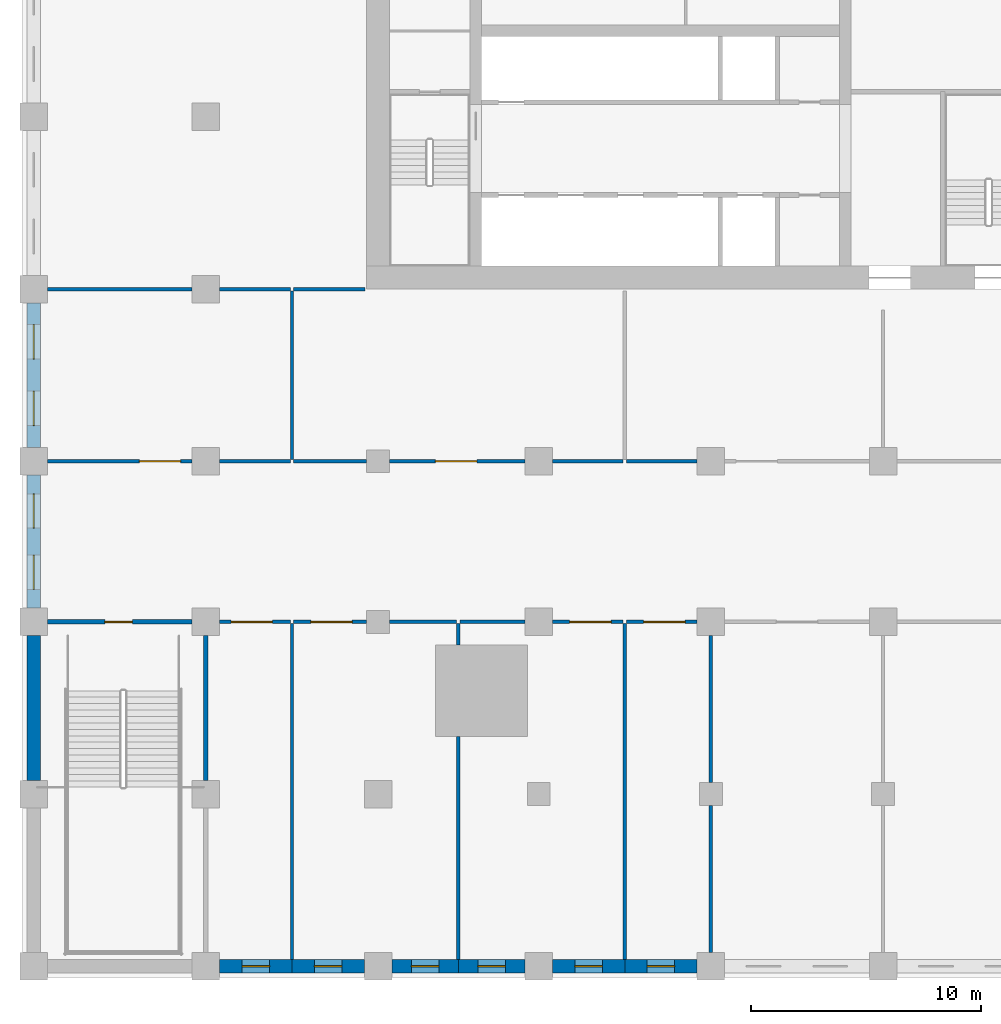
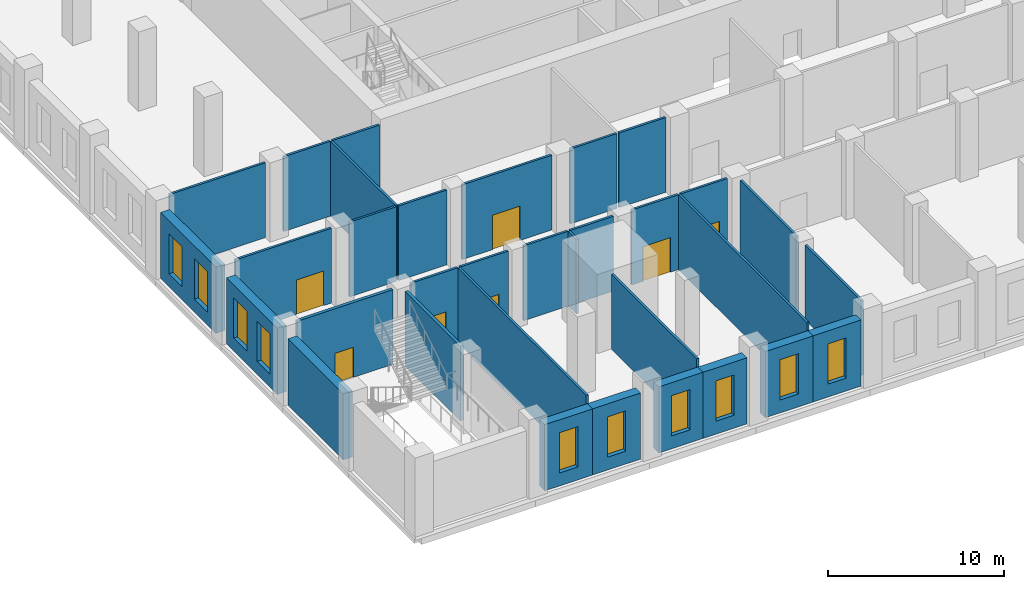
# One storey, part 3 of 25: 33 walls, 10 windows, 7 doors, 17 openings.
"""IFC4 building model written with IfcOpenShell, lengths in metres."""

import ifcopenshell
import ifcopenshell.guid

model = None  # the IFC model being written
_history = None  # IfcOwnerHistory: only IFC2X3 demands one
_inside = {}  # id of a spatial element -> (the spatial element, [elements in it])
_under = {}  # id of a project, library or spatial element -> (it, [spatial elements below it])
_declared = {}  # id of a project -> (the project, [libraries it declares])
_typed = {}  # id of a type object -> (the type object, [elements of that type])
_made_of = {}  # id of a material, layer set ... -> (it, [elements and type objects made of it])


def new_model(schema):
    """Start an empty IFC model of exactly this schema.

    Asked for "IFC4X3", IfcOpenShell would pick the latest addendum, in which some entities
    have other attributes; the version numbers below select the first issue.
    IFC2X3 requires an IfcOwnerHistory on every rooted entity: one is made here for all.
    """
    global model, _history
    if schema == "IFC4X3":
        model = ifcopenshell.file(schema_version=(4, 3, 0, 0))
    else:
        model = ifcopenshell.file(schema=schema)
    _inside.clear()
    _under.clear()
    _declared.clear()
    _typed.clear()
    _made_of.clear()
    _history = None
    if model.schema == "IFC2X3":
        org = make("IfcOrganization", Name="unknown")
        user = make(
            "IfcPersonAndOrganization",
            ThePerson=make("IfcPerson", FamilyName="unknown"),
            TheOrganization=org,
        )
        app = make(
            "IfcApplication",
            ApplicationDeveloper=org,
            Version="unknown",
            ApplicationFullName="unknown",
            ApplicationIdentifier="unknown",
        )
        _history = make(
            "IfcOwnerHistory",
            OwningUser=user,
            OwningApplication=app,
            ChangeAction="ADDED",
            CreationDate=0,
        )
    return model


def make(cls, **values):
    """One entity of the class cls with the attributes given. An attribute that is None is left unset."""
    return model.create_entity(
        cls, **{name: value for name, value in values.items() if value is not None}
    )


def rooted(cls, **values):
    """An entity with a GlobalId (a new one), such as an element, a storey or a relation."""
    return make(cls, GlobalId=ifcopenshell.guid.new(), OwnerHistory=_history, **values)


def si_unit(unit_type, name, prefix=None):
    """IfcSIUnit, for example si_unit("LENGTHUNIT", "METRE", prefix="MILLI")."""
    return make("IfcSIUnit", UnitType=unit_type, Prefix=prefix, Name=name)


def assignment(units):
    """IfcUnitAssignment: the units of a project."""
    return None if units is None else make("IfcUnitAssignment", Units=units)


def point(xyz):
    """IfcCartesianPoint."""
    return None if xyz is None else make("IfcCartesianPoint", Coordinates=xyz)


def direction(xyz):
    """IfcDirection."""
    return None if xyz is None else make("IfcDirection", DirectionRatios=xyz)


def frame(location, z_axis=None, x_axis=None):
    """IfcAxis2Placement3D, a coordinate frame: its origin and axes. An axis left out is left unset."""
    return make(
        "IfcAxis2Placement3D",
        Location=point(location),
        Axis=direction(z_axis),
        RefDirection=direction(x_axis),
    )


def frame_2d(location, x_axis=None):
    """IfcAxis2Placement2D, a coordinate frame in the plane: its origin and x axis."""
    return make(
        "IfcAxis2Placement2D", Location=point(location), RefDirection=direction(x_axis)
    )


def origin():
    """The frame at (0, 0, 0) with its axes left unset."""
    return frame((0.0, 0.0, 0.0))


def place(relative_to, where):
    """IfcLocalPlacement: puts the frame where relative to a parent placement (None: the world)."""
    return make(
        "IfcLocalPlacement", PlacementRelTo=relative_to, RelativePlacement=where
    )


def context(
    kind, dimensions, precision=None, world=None, true_north=None, identifier=None
):
    """IfcGeometricRepresentationContext, for example the 3D "Model" context."""
    return make(
        "IfcGeometricRepresentationContext",
        ContextIdentifier=identifier,
        ContextType=kind,
        CoordinateSpaceDimension=dimensions,
        Precision=precision,
        WorldCoordinateSystem=world,
        TrueNorth=true_north,
    )


def subcontext(parent, identifier, kind, view, scale=None):
    """IfcGeometricRepresentationSubContext, for example "Body" below "Model"."""
    return make(
        "IfcGeometricRepresentationSubContext",
        ContextIdentifier=identifier,
        ContextType=kind,
        ParentContext=parent,
        TargetScale=scale,
        TargetView=view,
    )


def project(units=None, contexts=None):
    """IfcProject with its units and contexts."""
    return rooted(
        "IfcProject",
        Name="project",
        RepresentationContexts=contexts,
        UnitsInContext=assignment(units),
    )


def spatial(cls, under=None, at=None, **own):
    """A site, building, storey or space (cls), placed at a placement, below another one or the project."""
    s = rooted(cls, ObjectPlacement=at, **own)
    if under is not None:
        _under.setdefault(under.id(), (under, []))[1].append(s)
    return s


def profile(cls, at=None, kind="AREA", **sizes):
    """A parametric profile (cls). Its sizes go by their IFC names, for example OverallWidth=200.0."""
    return make(cls, ProfileType=kind, Position=at, **sizes)


def rectangle(**sizes):
    """IfcRectangleProfileDef."""
    return profile("IfcRectangleProfileDef", **sizes)


def extrude(swept, where, along, depth):
    """IfcExtrudedAreaSolid: the profile swept, set in the frame where, extruded along a direction by depth."""
    return make(
        "IfcExtrudedAreaSolid",
        SweptArea=swept,
        Position=where,
        ExtrudedDirection=direction(along),
        Depth=depth,
    )


def shape(context_of_items, identifier, shape_type, items):
    """IfcShapeRepresentation: the items that make up one representation, for example the "Body"."""
    return make(
        "IfcShapeRepresentation",
        ContextOfItems=context_of_items,
        RepresentationIdentifier=identifier,
        RepresentationType=shape_type,
        Items=items,
    )


def material(Name=None, Category=None):
    """IfcMaterial."""
    return make("IfcMaterial", Name=Name, Category=Category)


def layer(
    of_material, thickness, ventilated=None, Name=None, Category=None, Priority=None
):
    """IfcMaterialLayer: one layer of a wall or slab, of a material (None: an air gap)."""
    return make(
        "IfcMaterialLayer",
        Material=of_material,
        LayerThickness=thickness,
        IsVentilated=ventilated,
        Name=Name,
        Category=Category,
        Priority=Priority,
    )


def layer_set(layers, Name=None):
    """IfcMaterialLayerSet."""
    return make("IfcMaterialLayerSet", MaterialLayers=layers, LayerSetName=Name)


def made_of(thing, what):
    """Note that an element or type object is made of a material, layer set ...; save() writes the relation."""
    if what is not None:
        _made_of.setdefault(what.id(), (what, []))[1].append(thing)
    return thing


def type_object(cls, material=None, **own):
    """A type object (cls), such as IfcWallType, which elements share."""
    return made_of(rooted(cls, **own), material)


def element(
    cls,
    number,
    at=None,
    inside=None,
    cuts=None,
    type_object=None,
    material=None,
    context=None,
    identifier="Body",
    shape_type=None,
    held_by="IfcProductDefinitionShape",
    body=None,
    shapes=None,
    **own,
):
    """One element of the class cls, such as IfcWall. Its Tag is "e" and its number.

    at: its placement. inside: the storey or other place that contains it. cuts: it is an
    opening in that element (IfcRelVoidsElement). A single representation is given by context,
    identifier, shape_type and body (its items); several are given by shapes. held_by: the class
    of the entity that holds the representations. save() writes the other relations.
    """
    e = rooted(cls, Tag="e%d" % number, ObjectPlacement=at, **own)
    if body is not None:
        shapes = [shape(context, identifier, shape_type, body)]
    if shapes is not None:
        e.Representation = make(held_by, Representations=shapes)
    if inside is not None:
        _inside.setdefault(inside.id(), (inside, []))[1].append(e)
    if cuts is not None:
        rooted(
            "IfcRelVoidsElement", RelatingBuildingElement=cuts, RelatedOpeningElement=e
        )
    if type_object is not None:
        _typed.setdefault(type_object.id(), (type_object, []))[1].append(e)
    return made_of(e, material)


def fill(opening, filler):
    """IfcRelFillsElement: the door or window that sits in an opening."""
    return rooted(
        "IfcRelFillsElement",
        RelatingOpeningElement=opening,
        RelatedBuildingElement=filler,
    )


def aggregate(whole, parts):
    """IfcRelAggregates: a whole, such as a stair, and the parts it consists of."""
    return rooted("IfcRelAggregates", RelatingObject=whole, RelatedObjects=parts)


def save(model, path):
    """Write the relations noted so far, then the file.

    IfcRelAggregates (storeys below a building ...), IfcRelContainedInSpatialStructure (elements
    in a storey), IfcRelDefinesByType, IfcRelAssociatesMaterial and IfcRelDeclares: one each for
    every whole, place, type object, material and project.
    """
    for whole, parts in _under.values():
        aggregate(whole, parts)
    for where, things in _inside.values():
        rooted(
            "IfcRelContainedInSpatialStructure",
            RelatedElements=things,
            RelatingStructure=where,
        )
    for kind, things in _typed.values():
        rooted("IfcRelDefinesByType", RelatedObjects=things, RelatingType=kind)
    for what, things in _made_of.values():
        rooted("IfcRelAssociatesMaterial", RelatedObjects=things, RelatingMaterial=what)
    for by, libraries in _declared.values():
        rooted("IfcRelDeclares", RelatingContext=by, RelatedDefinitions=libraries)
    model.write(path)


model = new_model("IFC4")

# Units and contexts
model_context = context("Model", 3, precision=1e-05, world=origin(), true_north=direction((0.0, 1.0)))
body_context = subcontext(model_context, "Body", "Model", "MODEL_VIEW")
ifc_project = project(units=[si_unit("LENGTHUNIT", "METRE"), si_unit("AREAUNIT", "SQUARE_METRE"), si_unit("VOLUMEUNIT", "CUBIC_METRE"), si_unit("PLANEANGLEUNIT", "RADIAN"), si_unit("MASSUNIT", "GRAM", prefix="KILO")], contexts=[model_context])

# Site, building, storey
site_placement = place(None, origin())
site = spatial("IfcSite", under=ifc_project, at=site_placement, CompositionType="ELEMENT")
building_placement = place(site_placement, origin())
building = spatial("IfcBuilding", under=site, at=building_placement, Name="Tamorin Gate", CompositionType="ELEMENT")
storey_placement = place(building_placement, frame((0.0, 0.0, 23.5)))
storey = spatial("IfcBuildingStorey", under=building, at=storey_placement, Name="L04", CompositionType="ELEMENT", Elevation=23.5)

# Wall, opening, door
ifc_material_1 = material(Name="Concrete masonry C20/25", Category="masonry")
ifc_layer_1 = layer(ifc_material_1, 0.14990234375)
ifc_layer_set_1 = layer_set([ifc_layer_1], Name="Partition 150")
wall_type_1 = type_object("IfcWallType", Name="Partition 150", PredefinedType="PARTITIONING", material=ifc_layer_set_1)
wall_1_placement = place(storey_placement, frame((23.60009765625, 45.5, 0.0), z_axis=(0.0, 0.0, 1.0), x_axis=(1.0, 0.0, 0.0)))
wall_1 = element("IfcWall", 1, at=wall_1_placement, inside=storey, type_object=wall_type_1, Name="Partition 150 L04", PredefinedType="PARTITIONING", context=body_context, shape_type="SweptSolid", body=[
    extrude(rectangle(XDim=3.074951171875, YDim=0.14990234375, at=frame_2d((1.53759765625, 0.0))), origin(), (0.0, 0.0, 1.0), 5.199951171875),
])
opening_1_placement = place(wall_1_placement, frame((0.5, 0.0, 0.0)))
opening_1 = element("IfcOpeningElement", 2, at=opening_1_placement, cuts=wall_1, Name="Opening DP3", PredefinedType="OPENING", context=body_context, shape_type="SweptSolid", body=[
    extrude(rectangle(XDim=1.800048828125, YDim=2.39990234375, at=frame_2d((0.89990234375, 1.199951171875))), frame((0.0, 0.0849609375, 0.0), z_axis=(0.0, -1.0, 0.0), x_axis=(1.0, 0.0, 0.0)), (0.0, 0.0, 1.0), 0.169921875),
])
ifc_material_2 = material(Name="Steel and glass", Category="steel")
door_type_1 = type_object("IfcDoorType", Name="Door pair 1800", OperationType="DOUBLE_DOOR_SINGLE_SWING", PredefinedType="DOOR", material=ifc_material_2)
door_1_placement = place(opening_1_placement, origin())
door_1 = element("IfcDoor", 3, at=door_1_placement, inside=storey, type_object=door_type_1, Name="Door pair 1800 L04", OperationType="SINGLE_SWING_LEFT", OverallHeight=2.39990234375, OverallWidth=1.800048828125, PredefinedType="DOOR", context=body_context, shape_type="SweptSolid", body=[
    extrude(rectangle(XDim=1.800048828125, YDim=2.39990234375, at=frame_2d((0.89990234375, 1.199951171875))), frame((0.0, 0.02490234375, 0.0), z_axis=(0.0, -1.0, 0.0), x_axis=(1.0, 0.0, 0.0)), (0.0, 0.0, 1.0), 0.050048828125),
])
fill(opening_1, door_1)

wall_2_placement = place(storey_placement, frame((26.824951171875, 45.5, 0.0), z_axis=(0.0, 0.0, 1.0), x_axis=(1.0, 0.0, 0.0)))
wall_2 = element("IfcWall", 4, at=wall_2_placement, inside=storey, type_object=wall_type_1, Name="Partition 150 L04", PredefinedType="PARTITIONING", context=body_context, shape_type="SweptSolid", body=[
    extrude(rectangle(XDim=3.175048828125, YDim=0.14990234375, at=frame_2d((1.58740234375, 0.0))), origin(), (0.0, 0.0, 1.0), 5.199951171875),
])
opening_2_placement = place(wall_2_placement, frame((0.75, 0.0, 0.0)))
opening_2 = element("IfcOpeningElement", 5, at=opening_2_placement, cuts=wall_2, Name="Opening DP3", PredefinedType="OPENING", context=body_context, shape_type="SweptSolid", body=[
    extrude(rectangle(XDim=1.800048828125, YDim=2.39990234375, at=frame_2d((0.89990234375, 1.199951171875))), frame((0.0, 0.0849609375, 0.0), z_axis=(0.0, -1.0, 0.0), x_axis=(1.0, 0.0, 0.0)), (0.0, 0.0, 1.0), 0.169921875),
])
door_2_placement = place(opening_2_placement, origin())
door_2 = element("IfcDoor", 6, at=door_2_placement, inside=storey, type_object=door_type_1, Name="Door pair 1800 L04", OperationType="SINGLE_SWING_LEFT", OverallHeight=2.39990234375, OverallWidth=1.800048828125, PredefinedType="DOOR", context=body_context, shape_type="SweptSolid", body=[
    extrude(rectangle(XDim=1.800048828125, YDim=2.39990234375, at=frame_2d((0.89990234375, 1.199951171875))), frame((0.0, 0.02490234375, 0.0), z_axis=(0.0, -1.0, 0.0), x_axis=(1.0, 0.0, 0.0)), (0.0, 0.0, 1.0), 0.050048828125),
])
fill(opening_2, door_2)

# Walls
wall_3_placement = place(storey_placement, frame((31.0, 45.5, 0.0), z_axis=(0.0, 0.0, 1.0), x_axis=(1.0, 0.0, 0.0)))
element("IfcWall", 7, at=wall_3_placement, inside=storey, type_object=wall_type_1, Name="Partition 150 L04", PredefinedType="PARTITIONING", context=body_context, shape_type="SweptSolid", body=[
    extrude(rectangle(XDim=2.925048828125, YDim=0.14990234375, at=frame_2d((1.46240234375, 0.0))), origin(), (0.0, 0.0, 1.0), 5.199951171875),
])
wall_4_placement = place(storey_placement, frame((34.074951171875, 45.5, 0.0), z_axis=(0.0, 0.0, 1.0), x_axis=(1.0, 0.0, 0.0)))
element("IfcWall", 8, at=wall_4_placement, inside=storey, type_object=wall_type_1, Name="Partition 150 L04", PredefinedType="PARTITIONING", context=body_context, shape_type="SweptSolid", body=[
    extrude(rectangle(XDim=2.824951171875, YDim=0.14990234375, at=frame_2d((1.41259765625, 0.0))), origin(), (0.0, 0.0, 1.0), 5.199951171875),
])

# Wall, opening, door
wall_5_placement = place(storey_placement, frame((38.10009765625, 45.5, 0.0), z_axis=(0.0, 0.0, 1.0), x_axis=(1.0, 0.0, 0.0)))
wall_5 = element("IfcWall", 9, at=wall_5_placement, inside=storey, type_object=wall_type_1, Name="Partition 150 L04", PredefinedType="PARTITIONING", context=body_context, shape_type="SweptSolid", body=[
    extrude(rectangle(XDim=3.074951171875, YDim=0.14990234375, at=frame_2d((1.53759765625, 0.0))), origin(), (0.0, 0.0, 1.0), 5.199951171875),
])
opening_3_placement = place(wall_5_placement, frame((0.75, 0.0, 0.0)))
opening_3 = element("IfcOpeningElement", 10, at=opening_3_placement, cuts=wall_5, Name="Opening DP3", PredefinedType="OPENING", context=body_context, shape_type="SweptSolid", body=[
    extrude(rectangle(XDim=1.800048828125, YDim=2.39990234375, at=frame_2d((0.89990234375, 1.199951171875))), frame((0.0, 0.0849609375, 0.0), z_axis=(0.0, -1.0, 0.0), x_axis=(1.0, 0.0, 0.0)), (0.0, 0.0, 1.0), 0.169921875),
])
door_3_placement = place(opening_3_placement, origin())
door_3 = element("IfcDoor", 11, at=door_3_placement, inside=storey, type_object=door_type_1, Name="Door pair 1800 L04", OperationType="SINGLE_SWING_LEFT", OverallHeight=2.39990234375, OverallWidth=1.800048828125, PredefinedType="DOOR", context=body_context, shape_type="SweptSolid", body=[
    extrude(rectangle(XDim=1.800048828125, YDim=2.39990234375, at=frame_2d((0.89990234375, 1.199951171875))), frame((0.0, 0.02490234375, 0.0), z_axis=(0.0, -1.0, 0.0), x_axis=(1.0, 0.0, 0.0)), (0.0, 0.0, 1.0), 0.050048828125),
])
fill(opening_3, door_3)

wall_6_placement = place(storey_placement, frame((41.324951171875, 45.5, 0.0), z_axis=(0.0, 0.0, 1.0), x_axis=(1.0, 0.0, 0.0)))
wall_6 = element("IfcWall", 12, at=wall_6_placement, inside=storey, type_object=wall_type_1, Name="Partition 150 L04", PredefinedType="PARTITIONING", context=body_context, shape_type="SweptSolid", body=[
    extrude(rectangle(XDim=3.074951171875, YDim=0.14990234375, at=frame_2d((1.53759765625, 0.0))), origin(), (0.0, 0.0, 1.0), 5.199951171875),
])
opening_4_placement = place(wall_6_placement, frame((0.75, 0.0, 0.0)))
opening_4 = element("IfcOpeningElement", 13, at=opening_4_placement, cuts=wall_6, Name="Opening DP3", PredefinedType="OPENING", context=body_context, shape_type="SweptSolid", body=[
    extrude(rectangle(XDim=1.800048828125, YDim=2.39990234375, at=frame_2d((0.89990234375, 1.199951171875))), frame((0.0, 0.0849609375, 0.0), z_axis=(0.0, -1.0, 0.0), x_axis=(1.0, 0.0, 0.0)), (0.0, 0.0, 1.0), 0.169921875),
])
door_4_placement = place(opening_4_placement, origin())
door_4 = element("IfcDoor", 14, at=door_4_placement, inside=storey, type_object=door_type_1, Name="Door pair 1800 L04", OperationType="SINGLE_SWING_LEFT", OverallHeight=2.39990234375, OverallWidth=1.800048828125, PredefinedType="DOOR", context=body_context, shape_type="SweptSolid", body=[
    extrude(rectangle(XDim=1.800048828125, YDim=2.39990234375, at=frame_2d((0.89990234375, 1.199951171875))), frame((0.0, 0.02490234375, 0.0), z_axis=(0.0, -1.0, 0.0), x_axis=(1.0, 0.0, 0.0)), (0.0, 0.0, 1.0), 0.050048828125),
])
fill(opening_4, door_4)

wall_7_placement = place(storey_placement, frame((22.39990234375, 52.5, 0.0), z_axis=(0.0, 0.0, 1.0), x_axis=(-1.0, 0.0, 0.0)))
wall_7 = element("IfcWall", 15, at=wall_7_placement, inside=storey, type_object=wall_type_1, Name="Partition 150 L04", PredefinedType="PARTITIONING", context=body_context, shape_type="SweptSolid", body=[
    extrude(rectangle(XDim=6.2998046875, YDim=0.14990234375, at=frame_2d((3.14990234375, 0.0))), origin(), (0.0, 0.0, 1.0), 5.199951171875),
])
opening_5_placement = place(wall_7_placement, frame((0.5, 0.0, 0.0)))
opening_5 = element("IfcOpeningElement", 16, at=opening_5_placement, cuts=wall_7, Name="Opening DP3", PredefinedType="OPENING", context=body_context, shape_type="SweptSolid", body=[
    extrude(rectangle(XDim=1.800048828125, YDim=2.39990234375, at=frame_2d((0.89990234375, 1.199951171875))), frame((0.0, 0.0849609375, 0.0), z_axis=(0.0, -1.0, 0.0), x_axis=(1.0, 0.0, 0.0)), (0.0, 0.0, 1.0), 0.169921875),
])
door_5_placement = place(opening_5_placement, origin())
door_5 = element("IfcDoor", 17, at=door_5_placement, inside=storey, type_object=door_type_1, Name="Door pair 1800 L04", OperationType="SINGLE_SWING_LEFT", OverallHeight=2.39990234375, OverallWidth=1.800048828125, PredefinedType="DOOR", context=body_context, shape_type="SweptSolid", body=[
    extrude(rectangle(XDim=1.800048828125, YDim=2.39990234375, at=frame_2d((0.89990234375, 1.199951171875))), frame((0.0, 0.02490234375, 0.0), z_axis=(0.0, -1.0, 0.0), x_axis=(1.0, 0.0, 0.0)), (0.0, 0.0, 1.0), 0.050048828125),
])
fill(opening_5, door_5)

# Walls
wall_8_placement = place(storey_placement, frame((23.60009765625, 52.5, 0.0), z_axis=(0.0, 0.0, 1.0), x_axis=(1.0, 0.0, 0.0)))
element("IfcWall", 18, at=wall_8_placement, inside=storey, type_object=wall_type_1, Name="Partition 150 L04", PredefinedType="PARTITIONING", context=body_context, shape_type="SweptSolid", body=[
    extrude(rectangle(XDim=3.074951171875, YDim=0.14990234375, at=frame_2d((1.53759765625, 0.0))), origin(), (0.0, 0.0, 1.0), 5.199951171875),
])
wall_9_placement = place(storey_placement, frame((26.824951171875, 52.5, 0.0), z_axis=(0.0, 0.0, 1.0), x_axis=(1.0, 0.0, 0.0)))
element("IfcWall", 19, at=wall_9_placement, inside=storey, type_object=wall_type_1, Name="Partition 150 L04", PredefinedType="PARTITIONING", context=body_context, shape_type="SweptSolid", body=[
    extrude(rectangle(XDim=3.175048828125, YDim=0.14990234375, at=frame_2d((1.58740234375, 0.0))), origin(), (0.0, 0.0, 1.0), 5.199951171875),
])

# Wall, opening, door
wall_10_placement = place(storey_placement, frame((36.89990234375, 52.5, 0.0), z_axis=(0.0, 0.0, 1.0), x_axis=(-1.0, 0.0, 0.0)))
wall_10 = element("IfcWall", 20, at=wall_10_placement, inside=storey, type_object=wall_type_1, Name="Partition 150 L04", PredefinedType="PARTITIONING", context=body_context, shape_type="SweptSolid", body=[
    extrude(rectangle(XDim=5.89990234375, YDim=0.14990234375, at=frame_2d((2.949951171875, 0.0))), origin(), (0.0, 0.0, 1.0), 5.199951171875),
])
opening_6_placement = place(wall_10_placement, frame((2.10009765625, 0.0, 0.0)))
opening_6 = element("IfcOpeningElement", 21, at=opening_6_placement, cuts=wall_10, Name="Opening DP3", PredefinedType="OPENING", context=body_context, shape_type="SweptSolid", body=[
    extrude(rectangle(XDim=1.800048828125, YDim=2.39990234375, at=frame_2d((0.89990234375, 1.199951171875))), frame((0.0, 0.0849609375, 0.0), z_axis=(0.0, -1.0, 0.0), x_axis=(1.0, 0.0, 0.0)), (0.0, 0.0, 1.0), 0.169921875),
])
door_6_placement = place(opening_6_placement, origin())
door_6 = element("IfcDoor", 22, at=door_6_placement, inside=storey, type_object=door_type_1, Name="Door pair 1800 L04", OperationType="SINGLE_SWING_LEFT", OverallHeight=2.39990234375, OverallWidth=1.800048828125, PredefinedType="DOOR", context=body_context, shape_type="SweptSolid", body=[
    extrude(rectangle(XDim=1.800048828125, YDim=2.39990234375, at=frame_2d((0.89990234375, 1.199951171875))), frame((0.0, 0.02490234375, 0.0), z_axis=(0.0, -1.0, 0.0), x_axis=(1.0, 0.0, 0.0)), (0.0, 0.0, 1.0), 0.050048828125),
])
fill(opening_6, door_6)

# Walls
for number, where, z_axis, x_axis, name in (
    (23, (38.10009765625, 52.5, 0.0), (0.0, 0.0, 1.0), (1.0, 0.0, 0.0), "Partition 150 L04"),
    (24, (41.324951171875, 52.5, 0.0), (0.0, 0.0, 1.0), (1.0, 0.0, 0.0), "Partition 150 L04"),
):
    element("IfcWall", number, at=place(storey_placement, frame(where, z_axis=z_axis, x_axis=x_axis)), inside=storey, type_object=wall_type_1, Name=name, PredefinedType="PARTITIONING", context=body_context, shape_type="SweptSolid", body=[
        extrude(rectangle(XDim=3.074951171875, YDim=0.14990234375, at=frame_2d((1.53759765625, 0.0))), origin(), (0.0, 0.0, 1.0), 5.199951171875),
    ])
wall_11_placement = place(storey_placement, frame((16.10009765625, 60.0, 0.0), z_axis=(0.0, 0.0, 1.0), x_axis=(1.0, 0.0, 0.0)))
element("IfcWall", 25, at=wall_11_placement, inside=storey, type_object=wall_type_1, Name="Partition 150 L04", PredefinedType="PARTITIONING", context=body_context, shape_type="SweptSolid", body=[
    extrude(rectangle(XDim=6.2998046875, YDim=0.14990234375, at=frame_2d((3.14990234375, 0.0))), origin(), (0.0, 0.0, 1.0), 5.199951171875),
])
wall_12_placement = place(storey_placement, frame((23.60009765625, 60.0, 0.0), z_axis=(0.0, 0.0, 1.0), x_axis=(1.0, 0.0, 0.0)))
element("IfcWall", 26, at=wall_12_placement, inside=storey, type_object=wall_type_1, Name="Partition 150 L04", PredefinedType="PARTITIONING", context=body_context, shape_type="SweptSolid", body=[
    extrude(rectangle(XDim=3.074951171875, YDim=0.14990234375, at=frame_2d((1.53759765625, 0.0))), origin(), (0.0, 0.0, 1.0), 5.199951171875),
])
wall_13_placement = place(storey_placement, frame((26.824951171875, 60.0, 0.0), z_axis=(0.0, 0.0, 1.0), x_axis=(1.0, 0.0, 0.0)))
element("IfcWall", 27, at=wall_13_placement, inside=storey, type_object=wall_type_1, Name="Partition 150 L04", PredefinedType="PARTITIONING", context=body_context, shape_type="SweptSolid", body=[
    extrude(rectangle(XDim=3.10009765625, YDim=0.14990234375, at=frame_2d((1.550048828125, 0.0))), origin(), (0.0, 0.0, 1.0), 5.199951171875),
])
wall_14_placement = place(storey_placement, frame((26.75, 30.800048828125, 0.0), z_axis=(0.0, 0.0, 1.0), x_axis=(0.0, 1.0, 0.0)))
element("IfcWall", 28, at=wall_14_placement, inside=storey, type_object=wall_type_1, Name="Partition 150 L04", PredefinedType="PARTITIONING", context=body_context, shape_type="SweptSolid", body=[
    extrude(rectangle(XDim=14.625, YDim=0.14990234375, at=frame_2d((7.3125, 0.0))), origin(), (0.0, 0.0, 1.0), 5.199951171875),
])
wall_15_placement = place(storey_placement, frame((26.75, 52.574951171875, 0.0), z_axis=(0.0, 0.0, 1.0), x_axis=(0.0, 1.0, 0.0)))
element("IfcWall", 29, at=wall_15_placement, inside=storey, type_object=wall_type_1, Name="Partition 150 L04", PredefinedType="PARTITIONING", context=body_context, shape_type="SweptSolid", body=[
    extrude(rectangle(XDim=7.35009765625, YDim=0.14990234375, at=frame_2d((3.675048828125, 0.0))), origin(), (0.0, 0.0, 1.0), 5.199951171875),
])
wall_16_placement = place(storey_placement, frame((34.0, 30.800048828125, 0.0), z_axis=(0.0, 0.0, 1.0), x_axis=(0.0, 1.0, 0.0)))
element("IfcWall", 30, at=wall_16_placement, inside=storey, type_object=wall_type_1, Name="Partition 150 L04", PredefinedType="PARTITIONING", context=body_context, shape_type="SweptSolid", body=[
    extrude(rectangle(XDim=9.699951171875, YDim=0.14990234375, at=frame_2d((4.85009765625, 0.0))), origin(), (0.0, 0.0, 1.0), 5.199951171875),
])
wall_17_placement = place(storey_placement, frame((34.0, 44.5, 0.0), z_axis=(0.0, 0.0, 1.0), x_axis=(0.0, 1.0, 0.0)))
element("IfcWall", 31, at=wall_17_placement, inside=storey, type_object=wall_type_1, Name="Partition 150 L04", PredefinedType="PARTITIONING", context=body_context, shape_type="SweptSolid", body=[
    extrude(rectangle(XDim=0.925048828125, YDim=0.14990234375, at=frame_2d((0.46240234375, 0.0))), origin(), (0.0, 0.0, 1.0), 5.199951171875),
])
wall_18_placement = place(storey_placement, frame((41.25, 30.800048828125, 0.0), z_axis=(0.0, 0.0, 1.0), x_axis=(0.0, 1.0, 0.0)))
element("IfcWall", 32, at=wall_18_placement, inside=storey, type_object=wall_type_1, Name="Partition 150 L04", PredefinedType="PARTITIONING", context=body_context, shape_type="SweptSolid", body=[
    extrude(rectangle(XDim=14.625, YDim=0.14990234375, at=frame_2d((7.3125, 0.0))), origin(), (0.0, 0.0, 1.0), 5.199951171875),
])
for number, where, z_axis, x_axis, name in (
    (33, (45.0, 31.10009765625, 0.0), (0.0, 0.0, 1.0), (0.0, 1.0, 0.0), "Partition 150 L04"),
    (34, (45.0, 38.5, 0.0), (0.0, 0.0, 1.0), (0.0, 1.0, 0.0), "Partition 150 L04"),
):
    element("IfcWall", number, at=place(storey_placement, frame(where, z_axis=z_axis, x_axis=x_axis)), inside=storey, type_object=wall_type_1, Name=name, PredefinedType="PARTITIONING", context=body_context, shape_type="SweptSolid", body=[
        extrude(rectangle(XDim=6.39990234375, YDim=0.14990234375, at=frame_2d((3.199951171875, 0.0))), origin(), (0.0, 0.0, 1.0), 5.199951171875),
    ])

# Wall, opening, window
ifc_material_3 = material(Name="Precast concrete C40/50", Category="concrete")
ifc_layer_2 = layer(ifc_material_3, 0.60009765625)
ifc_layer_set_2 = layer_set([ifc_layer_2], Name="Precast concrete C40/50")
wall_type_2 = type_object("IfcWallType", Name="Precast plinth wall 600", PredefinedType="PARTITIONING", material=ifc_layer_set_2)
wall_19_placement = place(storey_placement, frame((23.60009765625, 30.5, 0.0), z_axis=(0.0, 0.0, 1.0), x_axis=(1.0, 0.0, 0.0)))
wall_19 = element("IfcWall", 35, at=wall_19_placement, inside=storey, type_object=wall_type_2, Name="Precast plinth wall 600 L04", PredefinedType="PARTITIONING", context=body_context, shape_type="SweptSolid", body=[
    extrude(rectangle(XDim=3.14990234375, YDim=0.60009765625, at=frame_2d((1.574951171875, 0.0))), origin(), (0.0, 0.0, 1.0), 4.60009765625),
])
opening_7_placement = place(wall_19_placement, frame((0.97509765625, 0.0, 0.89990234375)))
opening_7 = element("IfcOpeningElement", 36, at=opening_7_placement, cuts=wall_19, Name="Opening PWN4", PredefinedType="OPENING", context=body_context, shape_type="SweptSolid", body=[
    extrude(rectangle(XDim=1.199951171875, YDim=2.800048828125, at=frame_2d((0.60009765625, 1.39990234375))), frame((0.0, 0.31005859375, 0.0), z_axis=(0.0, -1.0, 0.0), x_axis=(1.0, 0.0, 0.0)), (0.0, 0.0, 1.0), 0.6201171875),
])
ifc_material_4 = material(Name="Aluminium and glass", Category="aluminium")
window_type_1 = type_object("IfcWindowType", Name="Plinth window 1200x2800", PartitioningType="DOUBLE_PANEL_VERTICAL", PredefinedType="WINDOW", material=ifc_material_4)
window_1_placement = place(opening_7_placement, origin())
window_1 = element("IfcWindow", 37, at=window_1_placement, inside=storey, type_object=window_type_1, Name="Plinth window 1200x2800", OverallHeight=2.800048828125, OverallWidth=1.199951171875, PartitioningType="SINGLE_PANEL", PredefinedType="WINDOW", context=body_context, shape_type="SweptSolid", body=[
    extrude(rectangle(XDim=1.199951171875, YDim=2.800048828125, at=frame_2d((0.60009765625, 1.39990234375))), frame((0.0, 0.030029296875, 0.0), z_axis=(0.0, -1.0, 0.0), x_axis=(1.0, 0.0, 0.0)), (0.0, 0.0, 1.0), 0.06005859375),
])
fill(opening_7, window_1)

wall_20_placement = place(storey_placement, frame((26.75, 30.5, 0.0), z_axis=(0.0, 0.0, 1.0), x_axis=(1.0, 0.0, 0.0)))
wall_20 = element("IfcWall", 38, at=wall_20_placement, inside=storey, type_object=wall_type_2, Name="Precast plinth wall 600 L04", PredefinedType="PARTITIONING", context=body_context, shape_type="SweptSolid", body=[
    extrude(rectangle(XDim=3.14990234375, YDim=0.60009765625, at=frame_2d((1.574951171875, 0.0))), origin(), (0.0, 0.0, 1.0), 4.60009765625),
])
opening_8_placement = place(wall_20_placement, frame((0.97509765625, 0.0, 0.89990234375)))
opening_8 = element("IfcOpeningElement", 39, at=opening_8_placement, cuts=wall_20, Name="Opening PWN4", PredefinedType="OPENING", context=body_context, shape_type="SweptSolid", body=[
    extrude(rectangle(XDim=1.199951171875, YDim=2.800048828125, at=frame_2d((0.60009765625, 1.39990234375))), frame((0.0, 0.31005859375, 0.0), z_axis=(0.0, -1.0, 0.0), x_axis=(1.0, 0.0, 0.0)), (0.0, 0.0, 1.0), 0.6201171875),
])
window_2_placement = place(opening_8_placement, origin())
window_2 = element("IfcWindow", 40, at=window_2_placement, inside=storey, type_object=window_type_1, Name="Plinth window 1200x2800", OverallHeight=2.800048828125, OverallWidth=1.199951171875, PartitioningType="SINGLE_PANEL", PredefinedType="WINDOW", context=body_context, shape_type="SweptSolid", body=[
    extrude(rectangle(XDim=1.199951171875, YDim=2.800048828125, at=frame_2d((0.60009765625, 1.39990234375))), frame((0.0, 0.030029296875, 0.0), z_axis=(0.0, -1.0, 0.0), x_axis=(1.0, 0.0, 0.0)), (0.0, 0.0, 1.0), 0.06005859375),
])
fill(opening_8, window_2)

wall_21_placement = place(storey_placement, frame((31.10009765625, 30.5, 0.0), z_axis=(0.0, 0.0, 1.0), x_axis=(1.0, 0.0, 0.0)))
wall_21 = element("IfcWall", 41, at=wall_21_placement, inside=storey, type_object=wall_type_2, Name="Precast plinth wall 600 L04", PredefinedType="PARTITIONING", context=body_context, shape_type="SweptSolid", body=[
    extrude(rectangle(XDim=2.89990234375, YDim=0.60009765625, at=frame_2d((1.449951171875, 0.0))), origin(), (0.0, 0.0, 1.0), 4.60009765625),
])
opening_9_placement = place(wall_21_placement, frame((0.85009765625, 0.0, 0.89990234375)))
opening_9 = element("IfcOpeningElement", 42, at=opening_9_placement, cuts=wall_21, Name="Opening PWN4", PredefinedType="OPENING", context=body_context, shape_type="SweptSolid", body=[
    extrude(rectangle(XDim=1.199951171875, YDim=2.800048828125, at=frame_2d((0.60009765625, 1.39990234375))), frame((0.0, 0.31005859375, 0.0), z_axis=(0.0, -1.0, 0.0), x_axis=(1.0, 0.0, 0.0)), (0.0, 0.0, 1.0), 0.6201171875),
])
window_3_placement = place(opening_9_placement, origin())
window_3 = element("IfcWindow", 43, at=window_3_placement, inside=storey, type_object=window_type_1, Name="Plinth window 1200x2800", OverallHeight=2.800048828125, OverallWidth=1.199951171875, PartitioningType="SINGLE_PANEL", PredefinedType="WINDOW", context=body_context, shape_type="SweptSolid", body=[
    extrude(rectangle(XDim=1.199951171875, YDim=2.800048828125, at=frame_2d((0.60009765625, 1.39990234375))), frame((0.0, 0.030029296875, 0.0), z_axis=(0.0, -1.0, 0.0), x_axis=(1.0, 0.0, 0.0)), (0.0, 0.0, 1.0), 0.06005859375),
])
fill(opening_9, window_3)

wall_22_placement = place(storey_placement, frame((34.0, 30.5, 0.0), z_axis=(0.0, 0.0, 1.0), x_axis=(1.0, 0.0, 0.0)))
wall_22 = element("IfcWall", 44, at=wall_22_placement, inside=storey, type_object=wall_type_2, Name="Precast plinth wall 600 L04", PredefinedType="PARTITIONING", context=body_context, shape_type="SweptSolid", body=[
    extrude(rectangle(XDim=2.89990234375, YDim=0.60009765625, at=frame_2d((1.449951171875, 0.0))), origin(), (0.0, 0.0, 1.0), 4.60009765625),
])
opening_10_placement = place(wall_22_placement, frame((0.85009765625, 0.0, 0.89990234375)))
opening_10 = element("IfcOpeningElement", 45, at=opening_10_placement, cuts=wall_22, Name="Opening PWN4", PredefinedType="OPENING", context=body_context, shape_type="SweptSolid", body=[
    extrude(rectangle(XDim=1.199951171875, YDim=2.800048828125, at=frame_2d((0.60009765625, 1.39990234375))), frame((0.0, 0.31005859375, 0.0), z_axis=(0.0, -1.0, 0.0), x_axis=(1.0, 0.0, 0.0)), (0.0, 0.0, 1.0), 0.6201171875),
])
window_4_placement = place(opening_10_placement, origin())
window_4 = element("IfcWindow", 46, at=window_4_placement, inside=storey, type_object=window_type_1, Name="Plinth window 1200x2800", OverallHeight=2.800048828125, OverallWidth=1.199951171875, PartitioningType="SINGLE_PANEL", PredefinedType="WINDOW", context=body_context, shape_type="SweptSolid", body=[
    extrude(rectangle(XDim=1.199951171875, YDim=2.800048828125, at=frame_2d((0.60009765625, 1.39990234375))), frame((0.0, 0.030029296875, 0.0), z_axis=(0.0, -1.0, 0.0), x_axis=(1.0, 0.0, 0.0)), (0.0, 0.0, 1.0), 0.06005859375),
])
fill(opening_10, window_4)

wall_23_placement = place(storey_placement, frame((38.10009765625, 30.5, 0.0), z_axis=(0.0, 0.0, 1.0), x_axis=(1.0, 0.0, 0.0)))
wall_23 = element("IfcWall", 47, at=wall_23_placement, inside=storey, type_object=wall_type_2, Name="Precast plinth wall 600 L04", PredefinedType="PARTITIONING", context=body_context, shape_type="SweptSolid", body=[
    extrude(rectangle(XDim=3.14990234375, YDim=0.60009765625, at=frame_2d((1.574951171875, 0.0))), origin(), (0.0, 0.0, 1.0), 4.60009765625),
])
opening_11_placement = place(wall_23_placement, frame((0.97509765625, 0.0, 0.89990234375)))
opening_11 = element("IfcOpeningElement", 48, at=opening_11_placement, cuts=wall_23, Name="Opening PWN4", PredefinedType="OPENING", context=body_context, shape_type="SweptSolid", body=[
    extrude(rectangle(XDim=1.199951171875, YDim=2.800048828125, at=frame_2d((0.60009765625, 1.39990234375))), frame((0.0, 0.31005859375, 0.0), z_axis=(0.0, -1.0, 0.0), x_axis=(1.0, 0.0, 0.0)), (0.0, 0.0, 1.0), 0.6201171875),
])
window_5_placement = place(opening_11_placement, origin())
window_5 = element("IfcWindow", 49, at=window_5_placement, inside=storey, type_object=window_type_1, Name="Plinth window 1200x2800", OverallHeight=2.800048828125, OverallWidth=1.199951171875, PartitioningType="SINGLE_PANEL", PredefinedType="WINDOW", context=body_context, shape_type="SweptSolid", body=[
    extrude(rectangle(XDim=1.199951171875, YDim=2.800048828125, at=frame_2d((0.60009765625, 1.39990234375))), frame((0.0, 0.030029296875, 0.0), z_axis=(0.0, -1.0, 0.0), x_axis=(1.0, 0.0, 0.0)), (0.0, 0.0, 1.0), 0.06005859375),
])
fill(opening_11, window_5)

wall_24_placement = place(storey_placement, frame((41.25, 30.5, 0.0), z_axis=(0.0, 0.0, 1.0), x_axis=(1.0, 0.0, 0.0)))
wall_24 = element("IfcWall", 50, at=wall_24_placement, inside=storey, type_object=wall_type_2, Name="Precast plinth wall 600 L04", PredefinedType="PARTITIONING", context=body_context, shape_type="SweptSolid", body=[
    extrude(rectangle(XDim=3.14990234375, YDim=0.60009765625, at=frame_2d((1.574951171875, 0.0))), origin(), (0.0, 0.0, 1.0), 4.60009765625),
])
opening_12_placement = place(wall_24_placement, frame((0.97509765625, 0.0, 0.89990234375)))
opening_12 = element("IfcOpeningElement", 51, at=opening_12_placement, cuts=wall_24, Name="Opening PWN4", PredefinedType="OPENING", context=body_context, shape_type="SweptSolid", body=[
    extrude(rectangle(XDim=1.199951171875, YDim=2.800048828125, at=frame_2d((0.60009765625, 1.39990234375))), frame((0.0, 0.31005859375, 0.0), z_axis=(0.0, -1.0, 0.0), x_axis=(1.0, 0.0, 0.0)), (0.0, 0.0, 1.0), 0.6201171875),
])
window_6_placement = place(opening_12_placement, origin())
window_6 = element("IfcWindow", 52, at=window_6_placement, inside=storey, type_object=window_type_1, Name="Plinth window 1200x2800", OverallHeight=2.800048828125, OverallWidth=1.199951171875, PartitioningType="SINGLE_PANEL", PredefinedType="WINDOW", context=body_context, shape_type="SweptSolid", body=[
    extrude(rectangle(XDim=1.199951171875, YDim=2.800048828125, at=frame_2d((0.60009765625, 1.39990234375))), frame((0.0, 0.030029296875, 0.0), z_axis=(0.0, -1.0, 0.0), x_axis=(1.0, 0.0, 0.0)), (0.0, 0.0, 1.0), 0.06005859375),
])
fill(opening_12, window_6)

# Wall
wall_25_placement = place(storey_placement, frame((15.5, 38.60009765625, 0.0), z_axis=(0.0, 0.0, 1.0), x_axis=(0.0, 1.0, 0.0)))
element("IfcWall", 53, at=wall_25_placement, inside=storey, type_object=wall_type_2, Name="Precast plinth wall 600 L04", PredefinedType="PARTITIONING", context=body_context, shape_type="SweptSolid", body=[
    extrude(rectangle(XDim=6.2998046875, YDim=0.60009765625, at=frame_2d((3.14990234375, 0.0))), origin(), (0.0, 0.0, 1.0), 4.60009765625),
])

# Wall, openings, windows
wall_26_placement = place(storey_placement, frame((15.5, 46.10009765625, 0.0), z_axis=(0.0, 0.0, 1.0), x_axis=(0.0, 1.0, 0.0)))
wall_26 = element("IfcWall", 54, at=wall_26_placement, inside=storey, type_object=wall_type_2, Name="Precast plinth wall 600 L04", PredefinedType="PARTITIONING", context=body_context, shape_type="SweptSolid", body=[
    extrude(rectangle(XDim=5.7998046875, YDim=0.60009765625, at=frame_2d((2.89990234375, 0.0))), origin(), (0.0, 0.0, 1.0), 4.60009765625),
])
opening_13_placement = place(wall_26_placement, frame((0.81591796875, 0.0, 0.89990234375)))
opening_13 = element("IfcOpeningElement", 55, at=opening_13_placement, cuts=wall_26, Name="Opening PWN5", PredefinedType="OPENING", context=body_context, shape_type="SweptSolid", body=[
    extrude(rectangle(XDim=1.5, YDim=2.800048828125, at=frame_2d((0.75, 1.39990234375))), frame((0.0, 0.31005859375, 0.0), z_axis=(0.0, -1.0, 0.0), x_axis=(1.0, 0.0, 0.0)), (0.0, 0.0, 1.0), 0.6201171875),
])
opening_14_placement = place(wall_26_placement, frame((3.48388671875, 0.0, 0.89990234375)))
opening_14 = element("IfcOpeningElement", 56, at=opening_14_placement, cuts=wall_26, Name="Opening PWN5", PredefinedType="OPENING", context=body_context, shape_type="SweptSolid", body=[
    extrude(rectangle(XDim=1.5, YDim=2.800048828125, at=frame_2d((0.75, 1.39990234375))), frame((0.0, 0.31005859375, 0.0), z_axis=(0.0, -1.0, 0.0), x_axis=(1.0, 0.0, 0.0)), (0.0, 0.0, 1.0), 0.6201171875),
])
window_type_2 = type_object("IfcWindowType", Name="Plinth window 1500x2800", PartitioningType="DOUBLE_PANEL_VERTICAL", PredefinedType="WINDOW", material=ifc_material_4)
window_7_placement = place(opening_13_placement, origin())
window_7 = element("IfcWindow", 57, at=window_7_placement, inside=storey, type_object=window_type_2, Name="Plinth window 1500x2800", OverallHeight=2.800048828125, OverallWidth=1.5, PartitioningType="SINGLE_PANEL", PredefinedType="WINDOW", context=body_context, shape_type="SweptSolid", body=[
    extrude(rectangle(XDim=1.5, YDim=2.800048828125, at=frame_2d((0.75, 1.39990234375))), frame((0.0, 0.030029296875, 0.0), z_axis=(0.0, -1.0, 0.0), x_axis=(1.0, 0.0, 0.0)), (0.0, 0.0, 1.0), 0.06005859375),
])
fill(opening_13, window_7)
window_8_placement = place(opening_14_placement, origin())
window_8 = element("IfcWindow", 58, at=window_8_placement, inside=storey, type_object=window_type_2, Name="Plinth window 1500x2800", OverallHeight=2.800048828125, OverallWidth=1.5, PartitioningType="SINGLE_PANEL", PredefinedType="WINDOW", context=body_context, shape_type="SweptSolid", body=[
    extrude(rectangle(XDim=1.5, YDim=2.800048828125, at=frame_2d((0.75, 1.39990234375))), frame((0.0, 0.030029296875, 0.0), z_axis=(0.0, -1.0, 0.0), x_axis=(1.0, 0.0, 0.0)), (0.0, 0.0, 1.0), 0.06005859375),
])
fill(opening_14, window_8)

wall_27_placement = place(storey_placement, frame((15.5, 53.10009765625, 0.0), z_axis=(0.0, 0.0, 1.0), x_axis=(0.0, 1.0, 0.0)))
wall_27 = element("IfcWall", 59, at=wall_27_placement, inside=storey, type_object=wall_type_2, Name="Precast plinth wall 600 L04", PredefinedType="PARTITIONING", context=body_context, shape_type="SweptSolid", body=[
    extrude(rectangle(XDim=6.2998046875, YDim=0.60009765625, at=frame_2d((3.14990234375, 0.0))), origin(), (0.0, 0.0, 1.0), 4.60009765625),
])
opening_15_placement = place(wall_27_placement, frame((0.950927734375, 0.0, 0.89990234375)))
opening_15 = element("IfcOpeningElement", 60, at=opening_15_placement, cuts=wall_27, Name="Opening PWN5", PredefinedType="OPENING", context=body_context, shape_type="SweptSolid", body=[
    extrude(rectangle(XDim=1.5, YDim=2.800048828125, at=frame_2d((0.75, 1.39990234375))), frame((0.0, 0.31005859375, 0.0), z_axis=(0.0, -1.0, 0.0), x_axis=(1.0, 0.0, 0.0)), (0.0, 0.0, 1.0), 0.6201171875),
])
opening_16_placement = place(wall_27_placement, frame((3.84912109375, 0.0, 0.89990234375)))
opening_16 = element("IfcOpeningElement", 61, at=opening_16_placement, cuts=wall_27, Name="Opening PWN5", PredefinedType="OPENING", context=body_context, shape_type="SweptSolid", body=[
    extrude(rectangle(XDim=1.5, YDim=2.800048828125, at=frame_2d((0.75, 1.39990234375))), frame((0.0, 0.31005859375, 0.0), z_axis=(0.0, -1.0, 0.0), x_axis=(1.0, 0.0, 0.0)), (0.0, 0.0, 1.0), 0.6201171875),
])
window_9_placement = place(opening_15_placement, origin())
window_9 = element("IfcWindow", 62, at=window_9_placement, inside=storey, type_object=window_type_2, Name="Plinth window 1500x2800", OverallHeight=2.800048828125, OverallWidth=1.5, PartitioningType="SINGLE_PANEL", PredefinedType="WINDOW", context=body_context, shape_type="SweptSolid", body=[
    extrude(rectangle(XDim=1.5, YDim=2.800048828125, at=frame_2d((0.75, 1.39990234375))), frame((0.0, 0.030029296875, 0.0), z_axis=(0.0, -1.0, 0.0), x_axis=(1.0, 0.0, 0.0)), (0.0, 0.0, 1.0), 0.06005859375),
])
fill(opening_15, window_9)
window_10_placement = place(opening_16_placement, origin())
window_10 = element("IfcWindow", 63, at=window_10_placement, inside=storey, type_object=window_type_2, Name="Plinth window 1500x2800", OverallHeight=2.800048828125, OverallWidth=1.5, PartitioningType="SINGLE_PANEL", PredefinedType="WINDOW", context=body_context, shape_type="SweptSolid", body=[
    extrude(rectangle(XDim=1.5, YDim=2.800048828125, at=frame_2d((0.75, 1.39990234375))), frame((0.0, 0.030029296875, 0.0), z_axis=(0.0, -1.0, 0.0), x_axis=(1.0, 0.0, 0.0)), (0.0, 0.0, 1.0), 0.06005859375),
])
fill(opening_16, window_10)

# Wall, opening, door
ifc_material_5 = material(Name="Concrete C40/50", Category="concrete")
ifc_layer_3 = layer(ifc_material_5, 0.199951171875)
ifc_layer_set_3 = layer_set([ifc_layer_3], Name="Stair enclosure 200")
wall_type_3 = type_object("IfcWallType", Name="Stair enclosure 200", PredefinedType="SHEAR", material=ifc_layer_set_3)
wall_28_placement = place(storey_placement, frame((22.39990234375, 45.5, 0.0), z_axis=(0.0, 0.0, 1.0), x_axis=(-1.0, 0.0, 0.0)))
wall_28 = element("IfcWall", 64, at=wall_28_placement, inside=storey, type_object=wall_type_3, Name="Stair enclosure 200 L04", PredefinedType="SHEAR", context=body_context, shape_type="SweptSolid", body=[
    extrude(rectangle(XDim=6.2998046875, YDim=0.199951171875, at=frame_2d((3.14990234375, 0.0))), origin(), (0.0, 0.0, 1.0), 5.199951171875),
])
opening_17_placement = place(wall_28_placement, frame((2.60009765625, 0.0, 0.0)))
opening_17 = element("IfcOpeningElement", 65, at=opening_17_placement, cuts=wall_28, Name="Opening DP5", PredefinedType="OPENING", context=body_context, shape_type="SweptSolid", body=[
    extrude(rectangle(XDim=1.199951171875, YDim=2.10009765625, at=frame_2d((0.60009765625, 1.050048828125))), frame((0.0, 0.10986328125, 0.0), z_axis=(0.0, -1.0, 0.0), x_axis=(1.0, 0.0, 0.0)), (0.0, 0.0, 1.0), 0.219970703125),
])
ifc_material_6 = material(Name="Painted steel", Category="steel")
door_type_2 = type_object("IfcDoorType", Name="Stair door 1200", OperationType="SINGLE_SWING_LEFT", PredefinedType="DOOR", material=ifc_material_6)
door_7_placement = place(opening_17_placement, origin())
door_7 = element("IfcDoor", 66, at=door_7_placement, inside=storey, type_object=door_type_2, Name="Stair door 1200 L04", OperationType="SINGLE_SWING_LEFT", OverallHeight=2.10009765625, OverallWidth=1.199951171875, PredefinedType="DOOR", context=body_context, shape_type="SweptSolid", body=[
    extrude(rectangle(XDim=1.199951171875, YDim=2.10009765625, at=frame_2d((0.60009765625, 1.050048828125))), frame((0.0, 0.02490234375, 0.0), z_axis=(0.0, -1.0, 0.0), x_axis=(1.0, 0.0, 0.0)), (0.0, 0.0, 1.0), 0.050048828125),
])
fill(opening_17, door_7)

# Wall
wall_29_placement = place(storey_placement, frame((23.0, 38.60009765625, 0.0), z_axis=(0.0, 0.0, 1.0), x_axis=(0.0, 1.0, 0.0)))
element("IfcWall", 67, at=wall_29_placement, inside=storey, type_object=wall_type_3, Name="Stair enclosure 200 L04", PredefinedType="SHEAR", context=body_context, shape_type="SweptSolid", body=[
    extrude(rectangle(XDim=6.2998046875, YDim=0.199951171875, at=frame_2d((3.14990234375, 0.0))), origin(), (0.0, 0.0, 1.0), 5.199951171875),
])

save(model, "model.ifc")
